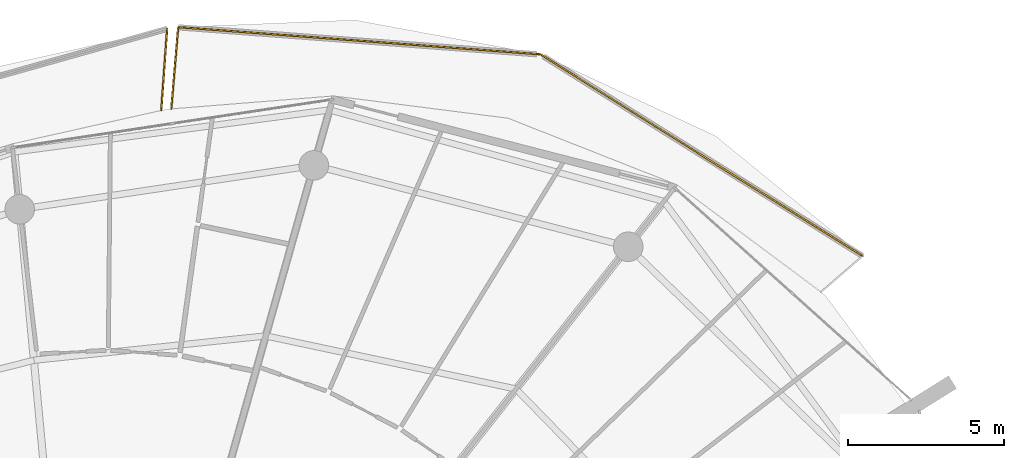
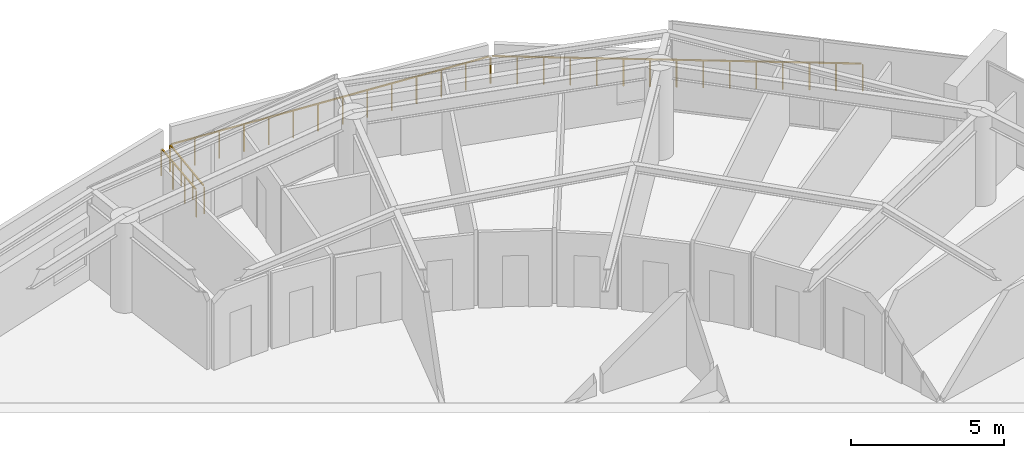
# One storey, part 29 of 29: 4 railings.
"""IFC4 building model written with IfcOpenShell, lengths in metres."""

from ifc_helpers import new_model, si_unit, direction, frame, origin, origin_2d, place, context, subcontext, project, spatial, rectangle, extrude, material, type_object, element, save


model = new_model("IFC4")

# Units and contexts
model_context = context("Model", 3, precision=1e-05, world=origin(), true_north=direction((0.0, 1.0)))
body_context = subcontext(model_context, "Body", "Model", "MODEL_VIEW")
ifc_project = project(units=[si_unit("LENGTHUNIT", "METRE"), si_unit("AREAUNIT", "SQUARE_METRE"), si_unit("VOLUMEUNIT", "CUBIC_METRE"), si_unit("PLANEANGLEUNIT", "RADIAN"), si_unit("MASSUNIT", "GRAM", prefix="KILO")], contexts=[model_context])

# Site, building, storey
site_placement = place(None, origin())
site = spatial("IfcSite", under=ifc_project, at=site_placement, CompositionType="ELEMENT")
building_placement = place(site_placement, origin())
building = spatial("IfcBuilding", under=site, at=building_placement, Name="Kazma Halo Residences", CompositionType="ELEMENT")
storey_placement = place(building_placement, frame((0.0, 0.0, 252.10009765625)))
storey = spatial("IfcBuildingStorey", under=building, at=storey_placement, Name="L63", CompositionType="ELEMENT", Elevation=252.10009765625)

# Railings
ifc_material = material(Name="Aluminium AW-6063 T6 Brushed Cap Rail", Category="aluminium")
railing_type = type_object("IfcRailingType", Name="RLG-BAL-CAP-1120", PredefinedType="BALUSTRADE", material=ifc_material)
railing_1_placement = place(storey_placement, frame((72.371337890625, 63.073974609375, 0.0)))
element("IfcRailing", 1, at=railing_1_placement, inside=storey, type_object=railing_type, Name="L63 NE wave balcony guard 2", PredefinedType="BALUSTRADE", context=body_context, shape_type="SweptSolid", body=[
    extrude(rectangle(XDim=0.050048828125, YDim=0.050048828125, at=origin_2d()), frame((-0.0361328125, 0.0224609375, 1.09521484375), z_axis=(-0.847746265353, 0.530401988664, 0.0), x_axis=(-0.530401988664, -0.847746265353, 0.0)), (0.0, 0.0, 1.0), 12.109375),
    extrude(rectangle(XDim=0.0400390625, YDim=0.0400390625, at=origin_2d()), origin(), (0.0, 0.0, 1.0), 1.05810546875),
    extrude(rectangle(XDim=0.0400390625, YDim=0.0400390625, at=origin_2d()), frame((-0.738525390625, 0.4619140625, 0.0)), (0.0, 0.0, 1.0), 1.05810546875),
    extrude(rectangle(XDim=0.0400390625, YDim=0.0400390625, at=origin_2d()), frame((-1.476806640625, 0.924072265625, 0.0)), (0.0, 0.0, 1.0), 1.05810546875),
    extrude(rectangle(XDim=0.0400390625, YDim=0.0400390625, at=origin_2d()), frame((-2.21533203125, 1.385986328125, 0.0)), (0.0, 0.0, 1.0), 1.05810546875),
    extrude(rectangle(XDim=0.0400390625, YDim=0.0400390625, at=origin_2d()), frame((-2.95361328125, 1.847900390625, 0.0)), (0.0, 0.0, 1.0), 1.05810546875),
    extrude(rectangle(XDim=0.0400390625, YDim=0.0400390625, at=origin_2d()), frame((-3.692138671875, 2.31005859375, 0.0)), (0.0, 0.0, 1.0), 1.05810546875),
    extrude(rectangle(XDim=0.0400390625, YDim=0.0400390625, at=origin_2d()), frame((-4.430419921875, 2.77197265625, 0.0)), (0.0, 0.0, 1.0), 1.05810546875),
    extrude(rectangle(XDim=0.0400390625, YDim=0.0400390625, at=origin_2d()), frame((-5.1689453125, 3.23388671875, 0.0)), (0.0, 0.0, 1.0), 1.05810546875),
    extrude(rectangle(XDim=0.0400390625, YDim=0.0400390625, at=origin_2d()), frame((-5.907470703125, 3.696044921875, 0.0)), (0.0, 0.0, 1.0), 1.05810546875),
    extrude(rectangle(XDim=0.0400390625, YDim=0.0400390625, at=origin_2d()), frame((-6.645751953125, 4.157958984375, 0.0)), (0.0, 0.0, 1.0), 1.05810546875),
    extrude(rectangle(XDim=0.0400390625, YDim=0.0400390625, at=origin_2d()), frame((-7.38427734375, 4.6201171875, 0.0)), (0.0, 0.0, 1.0), 1.05810546875),
    extrude(rectangle(XDim=0.0400390625, YDim=0.0400390625, at=origin_2d()), frame((-8.12255859375, 5.08203125, 0.0)), (0.0, 0.0, 1.0), 1.05810546875),
    extrude(rectangle(XDim=0.0400390625, YDim=0.0400390625, at=origin_2d()), frame((-8.861083984375, 5.5439453125, 0.0)), (0.0, 0.0, 1.0), 1.05810546875),
    extrude(rectangle(XDim=0.0400390625, YDim=0.0400390625, at=origin_2d()), frame((-9.599365234375, 6.006103515625, 0.0)), (0.0, 0.0, 1.0), 1.05810546875),
    extrude(rectangle(XDim=0.0400390625, YDim=0.0400390625, at=origin_2d()), frame((-10.337890625, 6.468017578125, 0.0)), (0.0, 0.0, 1.0), 1.05810546875),
])
railing_2_placement = place(storey_placement, frame((62.033447265625, 69.5419921875, 0.0)))
element("IfcRailing", 2, at=railing_2_placement, inside=storey, type_object=railing_type, Name="L63 NE wave balcony guard 3", PredefinedType="BALUSTRADE", context=body_context, shape_type="SweptSolid", body=[
    extrude(rectangle(XDim=0.050048828125, YDim=0.050048828125, at=origin_2d()), frame((-0.04248046875, 0.003173828125, 1.09521484375), z_axis=(-0.997192197281, 0.074884722625, 0.0), x_axis=(-0.074884722625, -0.997192197281, 0.0)), (0.0, 0.0, 1.0), 11.5703125),
    extrude(rectangle(XDim=0.0400390625, YDim=0.0400390625, at=origin_2d()), origin(), (0.0, 0.0, 1.0), 1.05810546875),
    extrude(rectangle(XDim=0.0400390625, YDim=0.0400390625, at=origin_2d()), frame((-0.89404296875, 0.067138671875, 0.0)), (0.0, 0.0, 1.0), 1.05810546875),
    extrude(rectangle(XDim=0.0400390625, YDim=0.0400390625, at=origin_2d()), frame((-1.7880859375, 0.13427734375, 0.0)), (0.0, 0.0, 1.0), 1.05810546875),
    extrude(rectangle(XDim=0.0400390625, YDim=0.0400390625, at=origin_2d()), frame((-2.68212890625, 0.201416015625, 0.0)), (0.0, 0.0, 1.0), 1.05810546875),
    extrude(rectangle(XDim=0.0400390625, YDim=0.0400390625, at=origin_2d()), frame((-3.576171875, 0.2685546875, 0.0)), (0.0, 0.0, 1.0), 1.05810546875),
    extrude(rectangle(XDim=0.0400390625, YDim=0.0400390625, at=origin_2d()), frame((-4.47021484375, 0.335693359375, 0.0)), (0.0, 0.0, 1.0), 1.05810546875),
    extrude(rectangle(XDim=0.0400390625, YDim=0.0400390625, at=origin_2d()), frame((-5.3642578125, 0.40283203125, 0.0)), (0.0, 0.0, 1.0), 1.05810546875),
    extrude(rectangle(XDim=0.0400390625, YDim=0.0400390625, at=origin_2d()), frame((-6.25830078125, 0.469970703125, 0.0)), (0.0, 0.0, 1.0), 1.05810546875),
    extrude(rectangle(XDim=0.0400390625, YDim=0.0400390625, at=origin_2d()), frame((-7.15234375, 0.537109375, 0.0)), (0.0, 0.0, 1.0), 1.05810546875),
    extrude(rectangle(XDim=0.0400390625, YDim=0.0400390625, at=origin_2d()), frame((-8.04638671875, 0.604248046875, 0.0)), (0.0, 0.0, 1.0), 1.05810546875),
    extrude(rectangle(XDim=0.0400390625, YDim=0.0400390625, at=origin_2d()), frame((-8.9404296875, 0.67138671875, 0.0)), (0.0, 0.0, 1.0), 1.05810546875),
    extrude(rectangle(XDim=0.0400390625, YDim=0.0400390625, at=origin_2d()), frame((-9.83447265625, 0.738525390625, 0.0)), (0.0, 0.0, 1.0), 1.05810546875),
    extrude(rectangle(XDim=0.0400390625, YDim=0.0400390625, at=origin_2d()), frame((-10.728515625, 0.8056640625, 0.0)), (0.0, 0.0, 1.0), 1.05810546875),
    extrude(rectangle(XDim=0.0400390625, YDim=0.0400390625, at=origin_2d()), frame((-11.62255859375, 0.872802734375, 0.0)), (0.0, 0.0, 1.0), 1.05810546875),
])
railing_3_placement = place(storey_placement, frame((50.410888671875, 70.414794921875, 0.0)))
element("IfcRailing", 3, at=railing_3_placement, inside=storey, type_object=railing_type, Name="L63 NE wave balcony guard 4", PredefinedType="BALUSTRADE", context=body_context, shape_type="SweptSolid", body=[
    extrude(rectangle(XDim=0.050048828125, YDim=0.050048828125, at=origin_2d()), frame((-0.003662109375, -0.04248046875, 1.09521484375), z_axis=(-0.084474319693, -0.996425656691, 0.0), x_axis=(0.996425656691, -0.084474319693, 0.0)), (0.0, 0.0, 1.0), 2.544921875),
    extrude(rectangle(XDim=0.0400390625, YDim=0.0400390625, at=origin_2d()), origin(), (0.0, 0.0, 1.0), 1.05810546875),
    extrude(rectangle(XDim=0.0400390625, YDim=0.0400390625, at=origin_2d()), frame((-0.073974609375, -0.87353515625, 0.0)), (0.0, 0.0, 1.0), 1.05810546875),
    extrude(rectangle(XDim=0.0400390625, YDim=0.0400390625, at=origin_2d()), frame((-0.148193359375, -1.7470703125, 0.0)), (0.0, 0.0, 1.0), 1.05810546875),
    extrude(rectangle(XDim=0.0400390625, YDim=0.0400390625, at=origin_2d()), frame((-0.22216796875, -2.62060546875, 0.0)), (0.0, 0.0, 1.0), 1.05810546875),
])
railing_4_placement = place(storey_placement, frame((49.8681640625, 67.74609375, 0.0)))
element("IfcRailing", 4, at=railing_4_placement, inside=storey, type_object=railing_type, Name="L63 NNW wave balcony guard 1", PredefinedType="BALUSTRADE", context=body_context, shape_type="SweptSolid", body=[
    extrude(rectangle(XDim=0.050048828125, YDim=0.050048828125, at=origin_2d()), frame((0.003173828125, 0.04248046875, 1.09521484375), z_axis=(0.072350681642, 0.997379255282, 0.0), x_axis=(-0.997379255282, 0.072350681642, 0.0)), (0.0, 0.0, 1.0), 2.540283203125),
    extrude(rectangle(XDim=0.0400390625, YDim=0.0400390625, at=origin_2d()), origin(), (0.0, 0.0, 1.0), 1.05810546875),
    extrude(rectangle(XDim=0.0400390625, YDim=0.0400390625, at=origin_2d()), frame((0.063232421875, 0.872802734375, 0.0)), (0.0, 0.0, 1.0), 1.05810546875),
    extrude(rectangle(XDim=0.0400390625, YDim=0.0400390625, at=origin_2d()), frame((0.126708984375, 1.74560546875, 0.0)), (0.0, 0.0, 1.0), 1.05810546875),
    extrude(rectangle(XDim=0.0400390625, YDim=0.0400390625, at=origin_2d()), frame((0.18994140625, 2.618408203125, 0.0)), (0.0, 0.0, 1.0), 1.05810546875),
])

save(model, "model.ifc")
